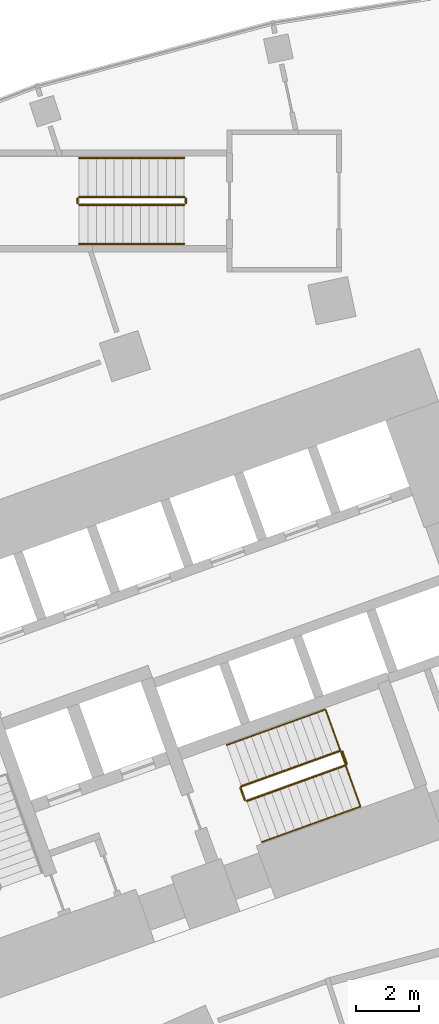
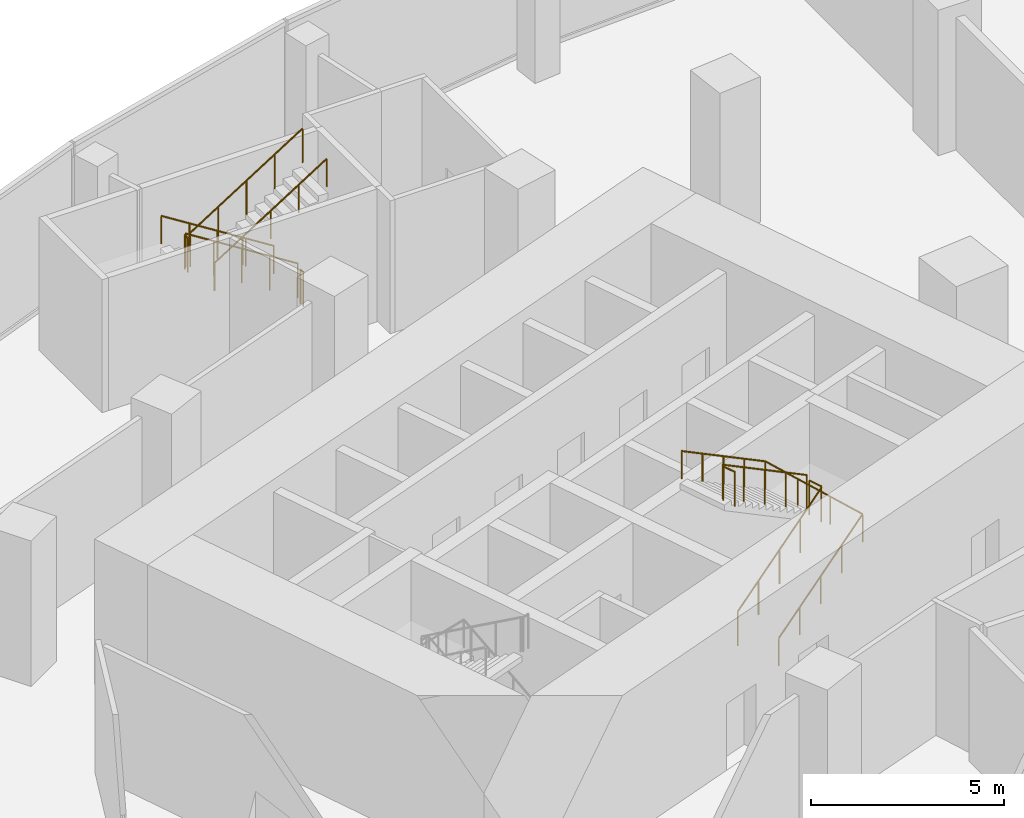
# One storey, part 35 of 40: 9 railings.
"""IFC4 building model written with IfcOpenShell, lengths in metres."""

from ifc_helpers import new_model, si_unit, direction, frame, origin, origin_2d, place, context, subcontext, project, spatial, circle, extrude, material, type_object, element, save


model = new_model("IFC4")

# Units and contexts
model_context = context("Model", 3, precision=1e-05, world=origin(), true_north=direction((0.0, 1.0)))
body_context = subcontext(model_context, "Body", "Model", "MODEL_VIEW")
ifc_project = project(units=[si_unit("LENGTHUNIT", "METRE"), si_unit("AREAUNIT", "SQUARE_METRE"), si_unit("VOLUMEUNIT", "CUBIC_METRE"), si_unit("PLANEANGLEUNIT", "RADIAN"), si_unit("MASSUNIT", "GRAM", prefix="KILO")], contexts=[model_context])

# Site, building, storey
site_placement = place(None, origin())
site = spatial("IfcSite", under=ifc_project, at=site_placement, CompositionType="ELEMENT")
building_placement = place(site_placement, origin())
building = spatial("IfcBuilding", under=site, at=building_placement, Name="Stone Belt Terrace Tower", CompositionType="ELEMENT")
storey_placement = place(building_placement, frame((0.0, 0.0, 11.60009765625)))
storey = spatial("IfcBuildingStorey", under=building, at=storey_placement, Name="L02", CompositionType="ELEMENT", Elevation=11.60009765625)

# Railings
ifc_material_1 = material(Name="Steel balustrade", Category="steel")
railing_type_1 = type_object("IfcRailingType", Name="Podium stair guard", PredefinedType="GUARDRAIL", material=ifc_material_1)
railing_1_placement = place(storey_placement, frame((-18.340087890625, 67.375, 0.1767578125)))
element("IfcRailing", 1, at=railing_1_placement, inside=storey, type_object=railing_type_1, Name="L02 PS7 stair guard 1", PredefinedType="GUARDRAIL", context=body_context, shape_type="SweptSolid", body=[
    extrude(circle(Radius=0.02392578125, at=origin_2d()), frame((0.0, 0.0, 1.076171875), z_axis=(-0.845372108799, 0.0, 0.534177870812), x_axis=(0.0, -1.0, 0.0)), (0.0, 0.0, 1.0), 3.974365234375),
    extrude(circle(Radius=0.02099609375, at=origin_2d()), origin(), (0.0, 0.0, 1.0), 1.052001953125),
    extrude(circle(Radius=0.02099609375, at=origin_2d()), frame((-0.83984375, 0.0, 0.53076171875)), (0.0, 0.0, 1.0), 1.052001953125),
    extrude(circle(Radius=0.02099609375, at=origin_2d()), frame((-1.679931640625, 0.0, 1.0615234375)), (0.0, 0.0, 1.0), 1.052001953125),
    extrude(circle(Radius=0.02099609375, at=origin_2d()), frame((-2.52001953125, 0.0, 1.59228515625)), (0.0, 0.0, 1.0), 1.052001953125),
    extrude(circle(Radius=0.02099609375, at=origin_2d()), frame((-3.35986328125, 0.0, 2.123046875)), (0.0, 0.0, 1.0), 1.052001953125),
])
railing_2_placement = place(storey_placement, frame((-21.75, 67.324951171875, 2.2998046875)))
element("IfcRailing", 2, at=railing_2_placement, inside=storey, type_object=railing_type_1, Name="L02 PS7 stair guard 2", PredefinedType="GUARDRAIL", context=body_context, shape_type="SweptSolid", body=[
    extrude(circle(Radius=0.02392578125, at=origin_2d()), frame((0.0, 0.0, 1.076171875), z_axis=(0.0, -1.0, 0.0), x_axis=(1.0, 0.0, 0.0)), (0.0, 0.0, 1.0), 0.14990234375),
    extrude(circle(Radius=0.02099609375, at=origin_2d()), origin(), (0.0, 0.0, 1.0), 1.052001953125),
    extrude(circle(Radius=0.02099609375, at=origin_2d()), frame((0.0, -0.14990234375, 0.0)), (0.0, 0.0, 1.0), 1.052001953125),
])
railing_3_placement = place(storey_placement, frame((-21.699951171875, 67.125, 2.476806640625)))
element("IfcRailing", 3, at=railing_3_placement, inside=storey, type_object=railing_type_1, Name="L02 PS7 stair guard 3", PredefinedType="GUARDRAIL", context=body_context, shape_type="SweptSolid", body=[
    extrude(circle(Radius=0.02392578125, at=origin_2d()), frame((0.0, 0.0, 1.076171875), z_axis=(0.845372108799, 0.0, 0.534177870812), x_axis=(0.0, 1.0, 0.0)), (0.0, 0.0, 1.0), 3.974365234375),
    extrude(circle(Radius=0.02099609375, at=origin_2d()), origin(), (0.0, 0.0, 1.0), 1.052001953125),
    extrude(circle(Radius=0.02099609375, at=origin_2d()), frame((0.83984375, 0.0, 0.53076171875)), (0.0, 0.0, 1.0), 1.052001953125),
    extrude(circle(Radius=0.02099609375, at=origin_2d()), frame((1.679931640625, 0.0, 1.0615234375)), (0.0, 0.0, 1.0), 1.052001953125),
    extrude(circle(Radius=0.02099609375, at=origin_2d()), frame((2.52001953125, 0.0, 1.59228515625)), (0.0, 0.0, 1.0), 1.052001953125),
    extrude(circle(Radius=0.02099609375, at=origin_2d()), frame((3.35986328125, 0.0, 2.123046875)), (0.0, 0.0, 1.0), 1.052001953125),
])
railing_4_placement = place(storey_placement, frame((-18.2900390625, 67.324951171875, 0.0)))
element("IfcRailing", 4, at=railing_4_placement, inside=storey, type_object=railing_type_1, Name="L02 PS7 stair guard 4", PredefinedType="GUARDRAIL", context=body_context, shape_type="SweptSolid", body=[
    extrude(circle(Radius=0.02392578125, at=origin_2d()), frame((0.0, 0.0, 1.076171875), z_axis=(0.0, -1.0, 0.0), x_axis=(1.0, 0.0, 0.0)), (0.0, 0.0, 1.0), 0.14990234375),
    extrude(circle(Radius=0.02099609375, at=origin_2d()), origin(), (0.0, 0.0, 1.0), 1.052001953125),
    extrude(circle(Radius=0.02099609375, at=origin_2d()), frame((0.0, -0.14990234375, 0.0)), (0.0, 0.0, 1.0), 1.052001953125),
])
ifc_material_2 = material(Name="Stainless steel handrail", Category="steel")
railing_type_2 = type_object("IfcRailingType", Name="Podium stair handrail", PredefinedType="HANDRAIL", material=ifc_material_2)
railing_5_placement = place(storey_placement, frame((-18.340087890625, 68.625, 0.1767578125)))
element("IfcRailing", 5, at=railing_5_placement, inside=storey, type_object=railing_type_2, Name="L02 PS7 stair handrail 1", PredefinedType="HANDRAIL", context=body_context, shape_type="SweptSolid", body=[
    extrude(circle(Radius=0.02392578125, at=origin_2d()), frame((0.0, 0.0, 0.8759765625), z_axis=(-0.845372108799, 0.0, 0.534177870812), x_axis=(0.0, -1.0, 0.0)), (0.0, 0.0, 1.0), 3.974365234375),
    extrude(circle(Radius=0.02099609375, at=origin_2d()), origin(), (0.0, 0.0, 1.0), 0.851806640625),
    extrude(circle(Radius=0.02099609375, at=origin_2d()), frame((-0.83984375, 0.0, 0.53076171875)), (0.0, 0.0, 1.0), 0.851806640625),
    extrude(circle(Radius=0.02099609375, at=origin_2d()), frame((-1.679931640625, 0.0, 1.0615234375)), (0.0, 0.0, 1.0), 0.851806640625),
    extrude(circle(Radius=0.02099609375, at=origin_2d()), frame((-2.52001953125, 0.0, 1.59228515625)), (0.0, 0.0, 1.0), 0.851806640625),
    extrude(circle(Radius=0.02099609375, at=origin_2d()), frame((-3.35986328125, 0.0, 2.123046875)), (0.0, 0.0, 1.0), 0.851806640625),
])
railing_6_placement = place(storey_placement, frame((-21.699951171875, 65.875, 2.476806640625)))
element("IfcRailing", 6, at=railing_6_placement, inside=storey, type_object=railing_type_2, Name="L02 PS7 stair handrail 2", PredefinedType="HANDRAIL", context=body_context, shape_type="SweptSolid", body=[
    extrude(circle(Radius=0.02392578125, at=origin_2d()), frame((0.0, 0.0, 0.8759765625), z_axis=(0.845372108799, 0.0, 0.534177870812), x_axis=(0.0, 1.0, 0.0)), (0.0, 0.0, 1.0), 3.974365234375),
    extrude(circle(Radius=0.02099609375, at=origin_2d()), origin(), (0.0, 0.0, 1.0), 0.851806640625),
    extrude(circle(Radius=0.02099609375, at=origin_2d()), frame((0.83984375, 0.0, 0.53076171875)), (0.0, 0.0, 1.0), 0.851806640625),
    extrude(circle(Radius=0.02099609375, at=origin_2d()), frame((1.679931640625, 0.0, 1.0615234375)), (0.0, 0.0, 1.0), 0.851806640625),
    extrude(circle(Radius=0.02099609375, at=origin_2d()), frame((2.52001953125, 0.0, 1.59228515625)), (0.0, 0.0, 1.0), 0.851806640625),
    extrude(circle(Radius=0.02099609375, at=origin_2d()), frame((3.35986328125, 0.0, 2.123046875)), (0.0, 0.0, 1.0), 0.851806640625),
])
ifc_material_3 = material(Name="Structural steel C345", Category="steel")
railing_type_3 = type_object("IfcRailingType", Name="Stair guard 1100", PredefinedType="GUARDRAIL", material=ifc_material_3)
railing_7_placement = place(storey_placement, frame((-16.33837890625, 48.056640625, 0.1767578125)))
element("IfcRailing", 7, at=railing_7_placement, inside=storey, type_object=railing_type_3, Name="L02 ST2A stair guard 1", PredefinedType="GUARDRAIL", context=body_context, shape_type="SweptSolid", body=[
    extrude(circle(Radius=0.02392578125, at=origin_2d()), frame((0.0, 0.0, 1.076171875), z_axis=(0.79545437138, 0.286240723601, 0.53415221726), x_axis=(-0.338590819614, 0.940933715451, 0.0)), (0.0, 0.0, 1.0), 3.974609375),
    extrude(circle(Radius=0.02392578125, at=origin_2d()), frame((3.16162109375, 1.1376953125, 3.19921875), z_axis=(0.424964916, 0.905209821074, 0.0), x_axis=(-0.905209821074, 0.424964916, 0.0)), (0.0, 0.0, 1.0), 0.070556640625),
    extrude(circle(Radius=0.02392578125, at=origin_2d()), frame((3.191650390625, 1.20166015625, 3.19921875), z_axis=(-0.338654645739, 0.940910745459, 0.0), x_axis=(-0.940910745459, -0.338654645739, 0.0)), (0.0, 0.0, 1.0), 0.400146484375),
    extrude(circle(Radius=0.02099609375, at=origin_2d()), origin(), (0.0, 0.0, 1.0), 1.052001953125),
    extrude(circle(Radius=0.02099609375, at=origin_2d()), frame((0.79052734375, 0.284423828125, 0.53076171875)), (0.0, 0.0, 1.0), 1.052001953125),
    extrude(circle(Radius=0.02099609375, at=origin_2d()), frame((1.580810546875, 0.56884765625, 1.0615234375)), (0.0, 0.0, 1.0), 1.052001953125),
    extrude(circle(Radius=0.02099609375, at=origin_2d()), frame((2.37109375, 0.853271484375, 1.59228515625)), (0.0, 0.0, 1.0), 1.052001953125),
    extrude(circle(Radius=0.02099609375, at=origin_2d()), frame((3.16162109375, 1.1376953125, 2.123046875)), (0.0, 0.0, 1.0), 1.052001953125),
    extrude(circle(Radius=0.02099609375, at=origin_2d()), frame((3.191650390625, 1.20166015625, 2.123046875)), (0.0, 0.0, 1.0), 1.052001953125),
    extrude(circle(Radius=0.02099609375, at=origin_2d()), frame((3.05615234375, 1.578125, 2.123046875)), (0.0, 0.0, 1.0), 1.052001953125),
])
railing_8_placement = place(storey_placement, frame((-13.34619140625, 49.664794921875, 2.476806640625)))
element("IfcRailing", 8, at=railing_8_placement, inside=storey, type_object=railing_type_3, Name="L02 ST2A stair guard 2", PredefinedType="GUARDRAIL", context=body_context, shape_type="SweptSolid", body=[
    extrude(circle(Radius=0.02392578125, at=origin_2d()), frame((0.0, 0.0, 1.076171875), z_axis=(-0.795431811234, -0.286254710043, 0.534178317283), x_axis=(0.338613969627, -0.9409253847, 0.0)), (0.0, 0.0, 1.0), 3.974365234375),
    extrude(circle(Radius=0.02392578125, at=origin_2d()), frame((-3.161376953125, -1.1376953125, 3.19921875), z_axis=(-0.427789722475, -0.903878284585, 0.0), x_axis=(0.903878284585, -0.427789722475, 0.0)), (0.0, 0.0, 1.0), 0.07080078125),
    extrude(circle(Radius=0.02392578125, at=origin_2d()), frame((-3.191650390625, -1.20166015625, 3.19921875), z_axis=(0.338654645739, -0.940910745459, 0.0), x_axis=(0.940910745459, 0.338654645739, 0.0)), (0.0, 0.0, 1.0), 0.400146484375),
    extrude(circle(Radius=0.02099609375, at=origin_2d()), origin(), (0.0, 0.0, 1.0), 1.052001953125),
    extrude(circle(Radius=0.02099609375, at=origin_2d()), frame((-0.790283203125, -0.284423828125, 0.53076171875)), (0.0, 0.0, 1.0), 1.052001953125),
    extrude(circle(Radius=0.02099609375, at=origin_2d()), frame((-1.58056640625, -0.56884765625, 1.0615234375)), (0.0, 0.0, 1.0), 1.052001953125),
    extrude(circle(Radius=0.02099609375, at=origin_2d()), frame((-2.37109375, -0.853271484375, 1.59228515625)), (0.0, 0.0, 1.0), 1.052001953125),
    extrude(circle(Radius=0.02099609375, at=origin_2d()), frame((-3.161376953125, -1.1376953125, 2.123046875)), (0.0, 0.0, 1.0), 1.052001953125),
    extrude(circle(Radius=0.02099609375, at=origin_2d()), frame((-3.191650390625, -1.20166015625, 2.123046875)), (0.0, 0.0, 1.0), 1.052001953125),
    extrude(circle(Radius=0.02099609375, at=origin_2d()), frame((-3.05615234375, -1.578125, 2.123046875)), (0.0, 0.0, 1.0), 1.052001953125),
])
railing_type_4 = type_object("IfcRailingType", Name="Stair handrail 900", PredefinedType="HANDRAIL", material=ifc_material_3)
railing_9_placement = place(storey_placement, frame((-15.8642578125, 46.7392578125, 0.1767578125)))
element("IfcRailing", 9, at=railing_9_placement, inside=storey, type_object=railing_type_4, Name="L02 ST2A stair handrail 1", PredefinedType="HANDRAIL", context=body_context, shape_type="SweptSolid", body=[
    extrude(circle(Radius=0.02392578125, at=origin_2d()), frame((0.0, 0.0, 0.8759765625), z_axis=(0.795431811234, 0.286254710043, 0.534178317283), x_axis=(-0.338613969627, 0.9409253847, 0.0)), (0.0, 0.0, 1.0), 3.974365234375),
    extrude(circle(Radius=0.02392578125, at=origin_2d()), frame((3.161376953125, 1.1376953125, 2.9990234375), z_axis=(-0.338112997137, 0.939580338779, 0.053557335138), x_axis=(-0.940930785231, -0.338598962497, 0.0)), (0.0, 0.0, 1.0), 3.304931640625),
    extrude(circle(Radius=0.02392578125, at=origin_2d()), frame((2.0439453125, 4.242919921875, 3.17578125), z_axis=(-0.795417823175, -0.286311103083, 0.534168923494), x_axis=(0.338678299589, -0.940902231577, 0.0)), (0.0, 0.0, 1.0), 3.974365234375),
    extrude(circle(Radius=0.02099609375, at=origin_2d()), origin(), (0.0, 0.0, 1.0), 0.851806640625),
    extrude(circle(Radius=0.02099609375, at=origin_2d()), frame((0.790283203125, 0.284423828125, 0.53076171875)), (0.0, 0.0, 1.0), 0.851806640625),
    extrude(circle(Radius=0.02099609375, at=origin_2d()), frame((1.58056640625, 0.56884765625, 1.0615234375)), (0.0, 0.0, 1.0), 0.851806640625),
    extrude(circle(Radius=0.02099609375, at=origin_2d()), frame((2.37109375, 0.853271484375, 1.59228515625)), (0.0, 0.0, 1.0), 0.851806640625),
    extrude(circle(Radius=0.02099609375, at=origin_2d()), frame((3.161376953125, 1.1376953125, 2.123046875)), (0.0, 0.0, 1.0), 0.851806640625),
    extrude(circle(Radius=0.02099609375, at=origin_2d()), frame((2.788818359375, 2.1728515625, 2.18212890625)), (0.0, 0.0, 1.0), 0.851806640625),
    extrude(circle(Radius=0.02099609375, at=origin_2d()), frame((2.41650390625, 3.207763671875, 2.240966796875)), (0.0, 0.0, 1.0), 0.851806640625),
    extrude(circle(Radius=0.02099609375, at=origin_2d()), frame((2.0439453125, 4.242919921875, 2.300048828125)), (0.0, 0.0, 1.0), 0.851806640625),
    extrude(circle(Radius=0.02099609375, at=origin_2d()), frame((1.253662109375, 3.95849609375, 2.830810546875)), (0.0, 0.0, 1.0), 0.851806640625),
    extrude(circle(Radius=0.02099609375, at=origin_2d()), frame((0.46337890625, 3.673828125, 3.361572265625)), (0.0, 0.0, 1.0), 0.851806640625),
    extrude(circle(Radius=0.02099609375, at=origin_2d()), frame((-0.3271484375, 3.389404296875, 3.892333984375)), (0.0, 0.0, 1.0), 0.851806640625),
    extrude(circle(Radius=0.02099609375, at=origin_2d()), frame((-1.117431640625, 3.10498046875, 4.423095703125)), (0.0, 0.0, 1.0), 0.851806640625),
])

save(model, "model.ifc")
